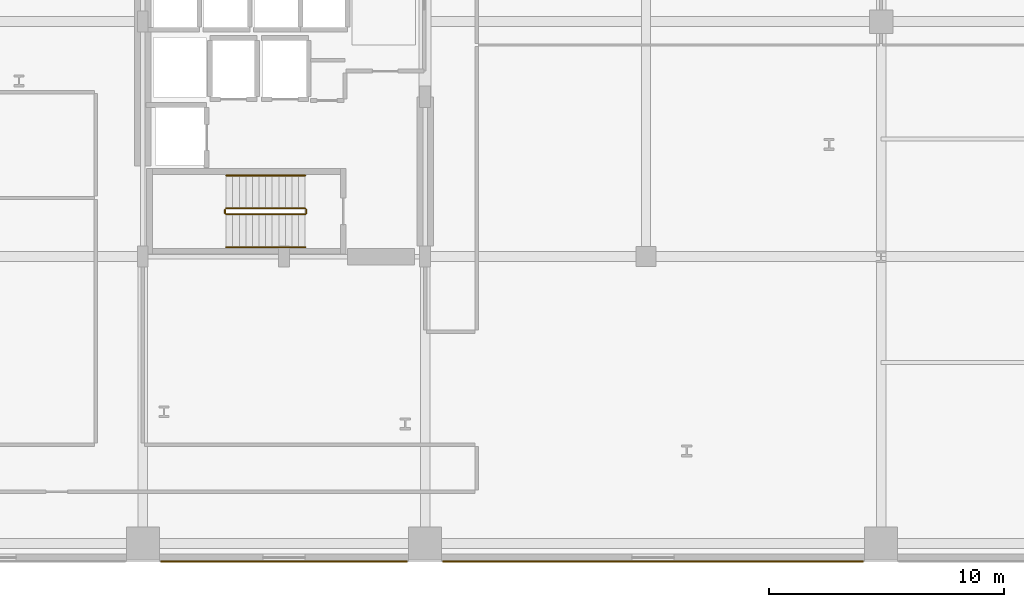
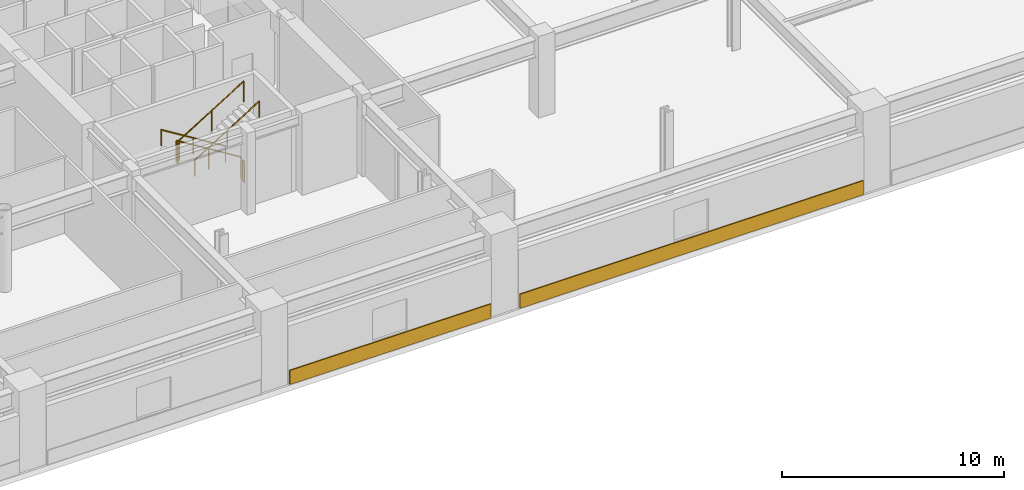
# One storey, part 25 of 28: 6 railings, 2 coverings.
"""IFC4 building model written with IfcOpenShell, lengths in metres."""

from ifc_helpers import new_model, si_unit, direction, frame, origin, origin_2d, place, context, subcontext, project, spatial, rectangle, circle, extrude, material, layer, layer_set, type_object, element, save


model = new_model("IFC4")

# Units and contexts
model_context = context("Model", 3, precision=1e-05, world=origin(), true_north=direction((0.0, 1.0)))
body_context = subcontext(model_context, "Body", "Model", "MODEL_VIEW")
ifc_project = project(units=[si_unit("LENGTHUNIT", "METRE"), si_unit("AREAUNIT", "SQUARE_METRE"), si_unit("VOLUMEUNIT", "CUBIC_METRE"), si_unit("PLANEANGLEUNIT", "RADIAN"), si_unit("MASSUNIT", "GRAM", prefix="KILO")], contexts=[model_context])

# Site, building, storey
site_placement = place(None, origin())
site = spatial("IfcSite", under=ifc_project, at=site_placement, CompositionType="ELEMENT")
building_placement = place(site_placement, origin())
building = spatial("IfcBuilding", under=site, at=building_placement, Name="Soratama Intermodal Tower", CompositionType="ELEMENT")
storey_placement = place(building_placement, frame((0.0, 0.0, 20.699951171875)))
storey = spatial("IfcBuildingStorey", under=building, at=storey_placement, Name="L04", CompositionType="ELEMENT", Elevation=20.699951171875)

# Coverings
ifc_material_1 = material(Name="Honed Andean limestone cladding", Category="masonry")
ifc_layer = layer(ifc_material_1, 0.06005859375)
ifc_layer_set = layer_set([ifc_layer], Name="Honed Andean limestone cladding")
covering_type = type_object("IfcCoveringType", Name="CV-STONE-CLAD", PredefinedType="CLADDING", material=ifc_layer_set)
covering_1_placement = place(storey_placement, frame((38.60009765625, 2.02392578125, 0.0302734375), z_axis=(0.0, 0.0, 1.0), x_axis=(1.0, 0.0, 0.0)))
element("IfcCovering", 1, at=covering_1_placement, inside=storey, type_object=covering_type, Name="L04 S Cladding B3", PredefinedType="CLADDING", context=body_context, shape_type="SweptSolid", body=[
    extrude(rectangle(XDim=10.5, YDim=0.06005859375, at=origin_2d()), origin(), (0.0, 0.0, 1.0), 0.780029296875),
])
covering_2_placement = place(storey_placement, frame((54.300048828125, 2.02392578125, 0.0302734375), z_axis=(0.0, 0.0, 1.0), x_axis=(1.0, 0.0, 0.0)))
element("IfcCovering", 2, at=covering_2_placement, inside=storey, type_object=covering_type, Name="L04 S Cladding B4", PredefinedType="CLADDING", context=body_context, shape_type="SweptSolid", body=[
    extrude(rectangle(XDim=17.89990234375, YDim=0.06005859375, at=origin_2d()), origin(), (0.0, 0.0, 1.0), 0.780029296875),
])

# Railings
ifc_material_2 = material(Name="Painted steel stair guardrail", Category="steel")
railing_type_1 = type_object("IfcRailingType", Name="RL-STAIR-GUARD", PredefinedType="GUARDRAIL", material=ifc_material_2)
railing_1_placement = place(storey_placement, frame((39.5, 17.050048828125, 0.173095703125)))
element("IfcRailing", 3, at=railing_1_placement, inside=storey, type_object=railing_type_1, Name="L04 ST-1 stair guard 1", PredefinedType="GUARDRAIL", context=body_context, shape_type="SweptSolid", body=[
    extrude(circle(Radius=0.02392578125, at=origin_2d()), frame((0.0, 0.0, 1.1259765625), z_axis=(-0.850623216509, 0.0, 0.525775754039), x_axis=(0.0, -1.0, 0.0)), (0.0, 0.0, 1.0), 3.9501953125),
    extrude(circle(Radius=0.02099609375, at=origin_2d()), origin(), (0.0, 0.0, 1.0), 1.101806640625),
    extrude(circle(Radius=0.02099609375, at=origin_2d()), frame((-1.68017578125, 0.0, 1.03857421875)), (0.0, 0.0, 1.0), 1.101806640625),
    extrude(circle(Radius=0.02099609375, at=origin_2d()), frame((-3.360107421875, 0.0, 2.076904296875)), (0.0, 0.0, 1.0), 1.101806640625),
])
railing_2_placement = place(storey_placement, frame((36.090087890625, 17.0, 2.25)))
element("IfcRailing", 4, at=railing_2_placement, inside=storey, type_object=railing_type_1, Name="L04 ST-1 stair guard 2", PredefinedType="GUARDRAIL", context=body_context, shape_type="SweptSolid", body=[
    extrude(circle(Radius=0.02392578125, at=origin_2d()), frame((0.0, 0.0, 1.1259765625), z_axis=(0.0, -1.0, 0.0), x_axis=(1.0, 0.0, 0.0)), (0.0, 0.0, 1.0), 0.14990234375),
    extrude(circle(Radius=0.02099609375, at=origin_2d()), origin(), (0.0, 0.0, 1.0), 1.101806640625),
    extrude(circle(Radius=0.02099609375, at=origin_2d()), frame((0.0, -0.14990234375, 0.0)), (0.0, 0.0, 1.0), 1.101806640625),
])
railing_3_placement = place(storey_placement, frame((36.139892578125, 16.800048828125, 2.423095703125)))
element("IfcRailing", 5, at=railing_3_placement, inside=storey, type_object=railing_type_1, Name="L04 ST-1 stair guard 3", PredefinedType="GUARDRAIL", context=body_context, shape_type="SweptSolid", body=[
    extrude(circle(Radius=0.02392578125, at=origin_2d()), frame((0.0, 0.0, 1.1259765625), z_axis=(0.850623216509, 0.0, 0.525775754039), x_axis=(0.0, 1.0, 0.0)), (0.0, 0.0, 1.0), 3.9501953125),
    extrude(circle(Radius=0.02099609375, at=origin_2d()), origin(), (0.0, 0.0, 1.0), 1.101806640625),
    extrude(circle(Radius=0.02099609375, at=origin_2d()), frame((1.68017578125, 0.0, 1.03857421875)), (0.0, 0.0, 1.0), 1.101806640625),
    extrude(circle(Radius=0.02099609375, at=origin_2d()), frame((3.360107421875, 0.0, 2.076904296875)), (0.0, 0.0, 1.0), 1.101806640625),
])
railing_4_placement = place(storey_placement, frame((39.550048828125, 17.0, 0.0)))
element("IfcRailing", 6, at=railing_4_placement, inside=storey, type_object=railing_type_1, Name="L04 ST-1 stair guard 4", PredefinedType="GUARDRAIL", context=body_context, shape_type="SweptSolid", body=[
    extrude(circle(Radius=0.02392578125, at=origin_2d()), frame((0.0, 0.0, 1.1259765625), z_axis=(0.0, -1.0, 0.0), x_axis=(1.0, 0.0, 0.0)), (0.0, 0.0, 1.0), 0.14990234375),
    extrude(circle(Radius=0.02099609375, at=origin_2d()), origin(), (0.0, 0.0, 1.0), 1.101806640625),
    extrude(circle(Radius=0.02099609375, at=origin_2d()), frame((0.0, -0.14990234375, 0.0)), (0.0, 0.0, 1.0), 1.101806640625),
])
ifc_material_3 = material(Name="Brushed stainless steel handrail", Category="steel")
railing_type_2 = type_object("IfcRailingType", Name="RL-STAIR-HAND", PredefinedType="HANDRAIL", material=ifc_material_3)
railing_5_placement = place(storey_placement, frame((39.5, 18.449951171875, 0.173095703125)))
element("IfcRailing", 7, at=railing_5_placement, inside=storey, type_object=railing_type_2, Name="L04 ST-1 stair handrail 1", PredefinedType="HANDRAIL", context=body_context, shape_type="SweptSolid", body=[
    extrude(circle(Radius=0.02392578125, at=origin_2d()), frame((0.0, 0.0, 0.8759765625), z_axis=(-0.850623216509, 0.0, 0.525775754039), x_axis=(0.0, -1.0, 0.0)), (0.0, 0.0, 1.0), 3.9501953125),
    extrude(circle(Radius=0.02099609375, at=origin_2d()), origin(), (0.0, 0.0, 1.0), 0.851806640625),
    extrude(circle(Radius=0.02099609375, at=origin_2d()), frame((-1.68017578125, 0.0, 1.03857421875)), (0.0, 0.0, 1.0), 0.851806640625),
    extrude(circle(Radius=0.02099609375, at=origin_2d()), frame((-3.360107421875, 0.0, 2.076904296875)), (0.0, 0.0, 1.0), 0.851806640625),
])
railing_6_placement = place(storey_placement, frame((36.139892578125, 15.39990234375, 2.423095703125)))
element("IfcRailing", 8, at=railing_6_placement, inside=storey, type_object=railing_type_2, Name="L04 ST-1 stair handrail 2", PredefinedType="HANDRAIL", context=body_context, shape_type="SweptSolid", body=[
    extrude(circle(Radius=0.02392578125, at=origin_2d()), frame((0.0, 0.0, 0.8759765625), z_axis=(0.850623216509, 0.0, 0.525775754039), x_axis=(0.0, 1.0, 0.0)), (0.0, 0.0, 1.0), 3.9501953125),
    extrude(circle(Radius=0.02099609375, at=origin_2d()), origin(), (0.0, 0.0, 1.0), 0.851806640625),
    extrude(circle(Radius=0.02099609375, at=origin_2d()), frame((1.68017578125, 0.0, 1.03857421875)), (0.0, 0.0, 1.0), 0.851806640625),
    extrude(circle(Radius=0.02099609375, at=origin_2d()), frame((3.360107421875, 0.0, 2.076904296875)), (0.0, 0.0, 1.0), 0.851806640625),
])

save(model, "model.ifc")
